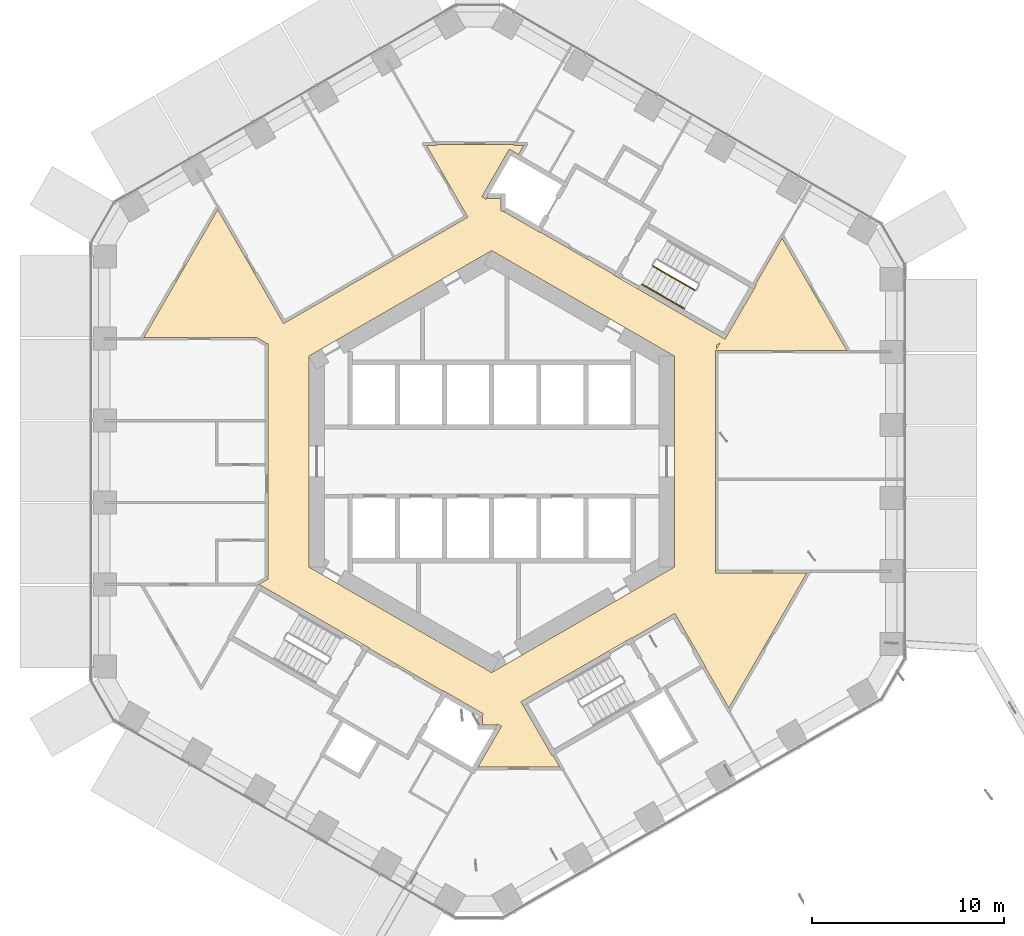
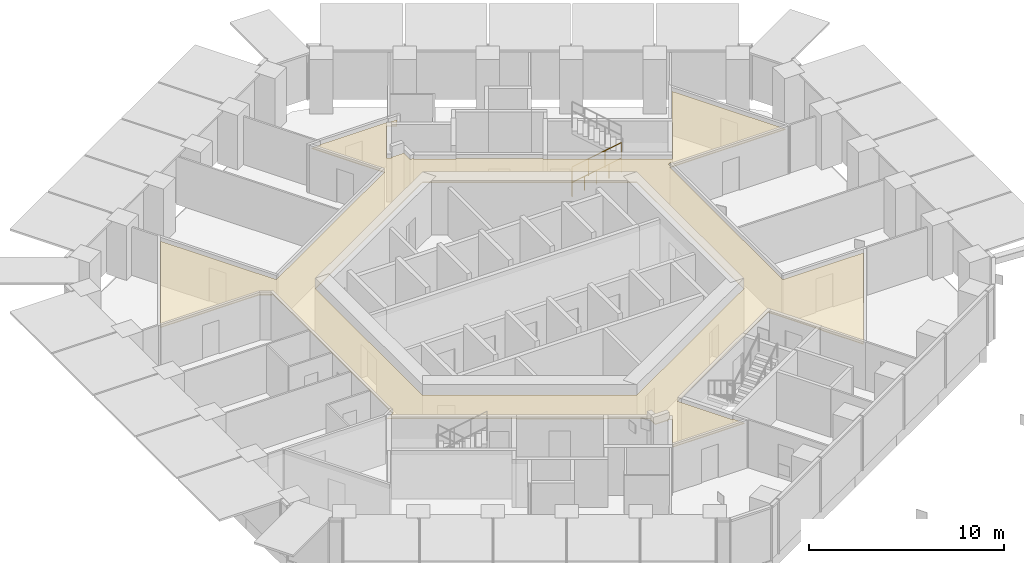
# One storey, part 21 of 22: 3 railings, 1 covering.
"""IFC4 building model written with IfcOpenShell, lengths in metres."""

from ifc_helpers import new_model, si_unit, direction, frame, origin, origin_2d, place, context, subcontext, project, spatial, polyline, circle, outline, extrude, material, layer, layer_set, type_object, element, save


model = new_model("IFC4")

# Units and contexts
model_context = context("Model", 3, precision=1e-05, world=origin(), true_north=direction((0.0, 1.0)))
body_context = subcontext(model_context, "Body", "Model", "MODEL_VIEW")
ifc_project = project(units=[si_unit("LENGTHUNIT", "METRE"), si_unit("AREAUNIT", "SQUARE_METRE"), si_unit("VOLUMEUNIT", "CUBIC_METRE"), si_unit("PLANEANGLEUNIT", "RADIAN"), si_unit("MASSUNIT", "GRAM", prefix="KILO")], contexts=[model_context])

# Site, building, storey
site_placement = place(None, origin())
site = spatial("IfcSite", under=ifc_project, at=site_placement, CompositionType="ELEMENT")
building_placement = place(site_placement, origin())
building = spatial("IfcBuilding", under=site, at=building_placement, Name="Ayvan Gate Tower", CompositionType="ELEMENT")
storey_placement = place(building_placement, frame((0.0, 0.0, 62.89990234375)))
storey = spatial("IfcBuildingStorey", under=building, at=storey_placement, Name="L16", CompositionType="ELEMENT", Elevation=62.89990234375)

# Covering
ifc_material_1 = material(Name="Plasterboard suspended ceiling")
ifc_layer = layer(ifc_material_1, 0.050048828125)
ifc_layer_set = layer_set([ifc_layer], Name="Plasterboard suspended ceiling")
covering_type = type_object("IfcCoveringType", Name="CT-SUSP-50", PredefinedType="CEILING", material=ifc_layer_set)
covering_placement = place(storey_placement, frame((0.0, 0.0, 2.7001953125)))
element("IfcCovering", 1, at=covering_placement, inside=storey, type_object=covering_type, Name="Ceiling Ring Corridor L16", PredefinedType="CEILING", context=body_context, shape_type="SweptSolid", body=[
    extrude(outline(polyline([(-12.2587890625, 6.4619140625), (-18.07470703125, 6.4619140625), (-14.24169921875, 13.1005859375), (-10.8212890625, 7.17578125), (-10.691162109375, 7.250732421875), (-1.23681640625, 12.709228515625), (-1.302001953125, 12.82177734375), (-3.388427734375, 16.43603515625), (-2.8759765625, 16.43603515625), (-2.8759765625, 16.48388671875), (1.15380859375, 16.48388671875), (1.15380859375, 16.43603515625), (1.666259765625, 16.43603515625), (1.395263671875, 15.966552734375), (1.135498046875, 16.116455078125), (0.918701171875, 16.241455078125), (-0.511474609375, 13.76416015625), (-0.294921875, 13.63916015625), (-0.215576171875, 13.776611328125), (-0.215576171875, 13.68505859375), (0.47509765625, 13.68505859375), (0.47509765625, 13.03857421875), (0.672119140625, 13.03857421875), (0.645751953125, 12.992919921875), (2.518310546875, 11.91162109375), (2.53076171875, 11.933349609375), (6.384521484375, 9.70849609375), (6.3720703125, 9.686767578125), (6.588623046875, 9.561767578125), (12.131103515625, 6.36181640625), (12.24609375, 6.56103515625), (13.631103515625, 8.959716796875), (13.756103515625, 9.176513671875), (13.712890625, 9.201416015625), (15.102783203125, 11.60888671875), (18.46630859375, 5.783447265625), (11.625, 5.783447265625), (11.625, -5.783447265625), (16.3876953125, -5.783447265625), (12.33154296875, -12.808837890625), (11.102294921875, -10.6796875), (11.123779296875, -10.667236328125), (9.623779296875, -8.069091796875), (9.52392578125, -7.89599609375), (7.2939453125, -9.183349609375), (7.281494140625, -9.16162109375), (1.522216796875, -12.48681640625), (1.647216796875, -12.703369140625), (3.147216796875, -15.30126953125), (3.190673828125, -15.2763671875), (3.54150390625, -15.884033203125), (-0.71240234375, -15.884033203125), (0.511474609375, -13.76416015625), (0.294921875, -13.63916015625), (0.215576171875, -13.776611328125), (0.215576171875, -13.68505859375), (-0.47509765625, -13.68505859375), (-0.47509765625, -13.28857421875), (-0.52783203125, -13.28857421875), (-0.42919921875, -13.117919921875), (-2.284423828125, -12.046630859375), (-2.518310546875, -11.91162109375), (-2.53076171875, -11.933349609375), (-6.384521484375, -9.70849609375), (-6.3720703125, -9.686767578125), (-11.897216796875, -6.49658203125), (-12.099853515625, -6.379638671875), (-11.597412109375, -6.089599609375), (-11.656494140625, -5.9873046875), (-11.625, -5.9873046875), (-11.625, 6.13720703125), (-11.743408203125, 6.13720703125), (-11.7275390625, 6.164794921875), (-12.222412109375, 6.450439453125), (-12.2587890625, 6.386962890625), (-12.2587890625, 6.4619140625)]), holes=[polyline([(11.870849609375, 6.160888671875), (11.699951171875, 6.062255859375), (11.699951171875, 5.864990234375), (11.870849609375, 6.160888671875)]), polyline([(-2.808349609375, -9.34814453125), (0.0, -10.9697265625), (2.808349609375, -9.34814453125), (9.5, -5.48486328125), (9.5, 5.48486328125), (2.808349609375, 9.34814453125), (0.0, 10.9697265625), (-2.808349609375, 9.34814453125), (-9.5, 5.48486328125), (-9.5, -5.48486328125), (-2.808349609375, -9.34814453125)])]), origin(), (0.0, 0.0, 1.0), 0.0498046875),
])

# Railings
ifc_material_2 = material(Name="Stainless steel balustrade", Category="steel")
railing_type_1 = type_object("IfcRailingType", Name="RL-GUARD-1100", PredefinedType="GUARDRAIL", material=ifc_material_2)
railing_1_placement = place(storey_placement, frame((8.381103515625, 10.16650390625, 0.170166015625)))
element("IfcRailing", 2, at=railing_1_placement, inside=storey, type_object=railing_type_1, Name="L16 STS1 stair guard 1", PredefinedType="GUARDRAIL", context=body_context, shape_type="SweptSolid", body=[
    extrude(circle(Radius=0.02392578125, at=origin_2d()), frame((0.0, 0.0, 1.076171875), z_axis=(0.740261155115, -0.427395438142, 0.518986090067), x_axis=(0.500004791531, 0.866022637375, 0.0)), (0.0, 0.0, 1.0), 2.947998046875),
    extrude(circle(Radius=0.02099609375, at=origin_2d()), origin(), (0.0, 0.0, 1.0), 1.052001953125),
    extrude(circle(Radius=0.02099609375, at=origin_2d()), frame((0.7275390625, -0.419921875, 0.510009765625)), (0.0, 0.0, 1.0), 1.052001953125),
    extrude(circle(Radius=0.02099609375, at=origin_2d()), frame((1.454833984375, -0.840087890625, 1.02001953125)), (0.0, 0.0, 1.0), 1.052001953125),
    extrude(circle(Radius=0.02099609375, at=origin_2d()), frame((2.182373046875, -1.260009765625, 1.530029296875)), (0.0, 0.0, 1.0), 1.052001953125),
])
railing_type_2 = type_object("IfcRailingType", Name="RL-HANDRAIL-900", PredefinedType="HANDRAIL", material=ifc_material_2)
railing_2_placement = place(storey_placement, frame((7.8310546875, 9.2138671875, 0.170166015625)))
element("IfcRailing", 3, at=railing_2_placement, inside=storey, type_object=railing_type_2, Name="L16 STS1 stair handrail 1", PredefinedType="HANDRAIL", context=body_context, shape_type="SweptSolid", body=[
    extrude(circle(Radius=0.02392578125, at=origin_2d()), frame((0.0, 0.0, 0.8759765625), z_axis=(0.740356597536, -0.427319915356, 0.518912129772), x_axis=(0.499890179513, 0.866088799389, 0.0)), (0.0, 0.0, 1.0), 1.47412109375),
    extrude(circle(Radius=0.02099609375, at=origin_2d()), origin(), (0.0, 0.0, 1.0), 0.851806640625),
    extrude(circle(Radius=0.02099609375, at=origin_2d()), frame((0.545654296875, -0.31494140625, 0.38232421875)), (0.0, 0.0, 1.0), 0.851806640625),
    extrude(circle(Radius=0.02099609375, at=origin_2d()), frame((1.09130859375, -0.6298828125, 0.764892578125)), (0.0, 0.0, 1.0), 0.851806640625),
])
railing_3_placement = place(storey_placement, frame((8.92236328125, 8.583984375, 0.93505859375)))
element("IfcRailing", 4, at=railing_3_placement, inside=storey, type_object=railing_type_2, Name="L16 STS1 stair handrail 2", PredefinedType="HANDRAIL", context=body_context, shape_type="SweptSolid", body=[
    extrude(circle(Radius=0.02392578125, at=origin_2d()), frame((0.0, 0.0, 0.8759765625), z_axis=(0.740165700939, -0.427470949681, 0.519060037311), x_axis=(0.50011940292, 0.865956455501, 0.0)), (0.0, 0.0, 1.0), 1.47412109375),
    extrude(circle(Radius=0.02099609375, at=origin_2d()), origin(), (0.0, 0.0, 1.0), 0.851806640625),
    extrude(circle(Radius=0.02099609375, at=origin_2d()), frame((0.54541015625, -0.31494140625, 0.382568359375)), (0.0, 0.0, 1.0), 0.851806640625),
    extrude(circle(Radius=0.02099609375, at=origin_2d()), frame((1.091064453125, -0.630126953125, 0.76513671875)), (0.0, 0.0, 1.0), 0.851806640625),
])

save(model, "model.ifc")
